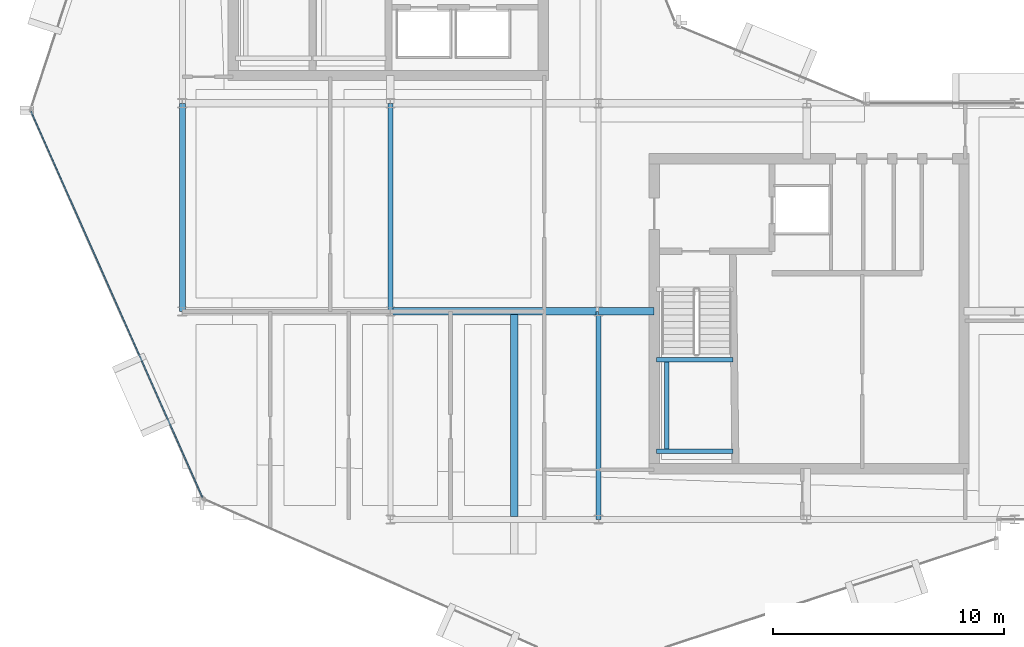
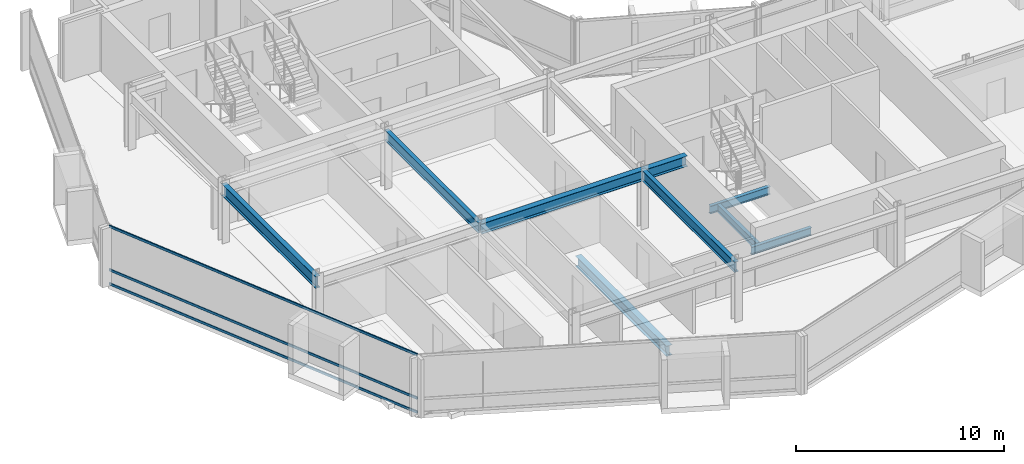
# One storey, part 5 of 27: 9 beams, 3 members, 1 element without a shape of its own.
"""IFC4 building model written with IfcOpenShell, lengths in metres."""

from ifc_helpers import new_model, si_unit, direction, frame, origin, origin_2d, place, context, subcontext, project, spatial, hollow_rectangle, i_section, extrude, material, layer, layer_set, material_profile, profile_set, type_object, element, aggregate, save


model = new_model("IFC4")

# Units and contexts
model_context = context("Model", 3, precision=1e-05, world=origin(), true_north=direction((0.0, 1.0)))
body_context = subcontext(model_context, "Body", "Model", "MODEL_VIEW")
ifc_project = project(units=[si_unit("LENGTHUNIT", "METRE"), si_unit("AREAUNIT", "SQUARE_METRE"), si_unit("VOLUMEUNIT", "CUBIC_METRE"), si_unit("PLANEANGLEUNIT", "RADIAN"), si_unit("MASSUNIT", "GRAM", prefix="KILO")], contexts=[model_context])

# Site, building, storey
site_placement = place(None, origin())
site = spatial("IfcSite", under=ifc_project, at=site_placement, CompositionType="ELEMENT")
building_placement = place(site_placement, origin())
building = spatial("IfcBuilding", under=site, at=building_placement, Name="Solvaryn Broadcast Tower", CompositionType="ELEMENT")
storey_placement = place(building_placement, frame((0.0, 0.0, 228.39990234375)))
storey = spatial("IfcBuildingStorey", under=building, at=storey_placement, Name="L57", CompositionType="ELEMENT", Elevation=228.39990234375)

# Beams
ifc_material_1 = material(Name="Steel ASTM A992 Grade 50", Category="steel")
ifc_material_profile_1 = material_profile(ifc_material_1, i_section(OverallWidth=0.323974609375, OverallDepth=0.611083984375, WebThickness=0.0126953125, FlangeThickness=0.01904296875, FilletRadius=0.014892578125, at=origin_2d()))
ifc_profile_set_1 = profile_set([ifc_material_profile_1], Name="Steel ASTM A992 Grade 50")
beam_type_1 = type_object("IfcBeamType", Name="BM-B1-W24X104", PredefinedType="BEAM", material=ifc_profile_set_1)
beam_1_placement = place(storey_placement, frame((23.35009765625, 17.875, -0.58544921875), z_axis=(0.0, -1.0, 0.0), x_axis=(1.0, 0.0, 0.0)))
element("IfcBeam", 1, at=beam_1_placement, inside=storey, type_object=beam_type_1, Name="L57 Bay-Box Back-Span Beam 1", PredefinedType="BEAM", context=body_context, shape_type="SweptSolid", body=[
    extrude(i_section(OverallWidth=0.323974609375, OverallDepth=0.611083984375, WebThickness=0.0126953125, FlangeThickness=0.01904296875, FilletRadius=0.014892578125, at=origin_2d()), origin(), (0.0, 0.0, 1.0), 8.75),
])
beam_2_placement = place(storey_placement, frame((18.0, 18.0, 3.114501953125), z_axis=(1.0, 0.0, 0.0), x_axis=(0.0, 1.0, 0.0)))
element("IfcBeam", 2, at=beam_2_placement, inside=storey, type_object=beam_type_1, Name="L57 Primary Beam X (18-27 @ Y=18)", PredefinedType="BEAM", context=body_context, shape_type="SweptSolid", body=[
    extrude(i_section(OverallWidth=0.323974609375, OverallDepth=0.611083984375, WebThickness=0.0126953125, FlangeThickness=0.01904296875, FilletRadius=0.014892578125, at=origin_2d()), origin(), (0.0, 0.0, 1.0), 9.0),
])
beam_3_placement = place(storey_placement, frame((27.0, 18.0, 3.114501953125), z_axis=(1.0, 0.0, 0.0), x_axis=(0.0, 1.0, 0.0)))
element("IfcBeam", 3, at=beam_3_placement, inside=storey, type_object=beam_type_1, Name="L57 Core Tie Beam CTE4", PredefinedType="BEAM", context=body_context, shape_type="SweptSolid", body=[
    extrude(i_section(OverallWidth=0.323974609375, OverallDepth=0.611083984375, WebThickness=0.0126953125, FlangeThickness=0.01904296875, FilletRadius=0.014892578125, at=origin_2d()), origin(), (0.0, 0.0, 1.0), 2.39990234375),
])
ifc_material_2 = material(Name="Steel ASTM A992 Grade 50", Category="steel")
ifc_material_profile_2 = material_profile(ifc_material_2, i_section(OverallWidth=0.22802734375, OverallDepth=0.60791015625, WebThickness=0.01123046875, FlangeThickness=0.017333984375, FilletRadius=0.014892578125, at=origin_2d()))
ifc_profile_set_2 = profile_set([ifc_material_profile_2], Name="Steel ASTM A992 Grade 50")
beam_type_2 = type_object("IfcBeamType", Name="BM-B2-W24X76", PredefinedType="BEAM", material=ifc_profile_set_2)
for number, where, z_axis, x_axis, name in (
    (4, (18.0, 18.0, 3.1162109375), (0.0, 1.0, 0.0), (-1.0, 0.0, 0.0), "L57 Primary Beam Y (18-27 @ X=18)"),
    (5, (27.0, 9.0, 3.1162109375), (0.0, 1.0, 0.0), (-1.0, 0.0, 0.0), "L57 Primary Beam Y (9-18 @ X=27)"),
):
    element("IfcBeam", number, at=place(storey_placement, frame(where, z_axis=z_axis, x_axis=x_axis)), inside=storey, type_object=beam_type_2, Name=name, PredefinedType="BEAM", context=body_context, shape_type="SweptSolid", body=[
        extrude(i_section(OverallWidth=0.22802734375, OverallDepth=0.60791015625, WebThickness=0.01123046875, FlangeThickness=0.017333984375, FilletRadius=0.014892578125, at=origin_2d()), origin(), (0.0, 0.0, 1.0), 9.0),
    ])
ifc_material_3 = material(Name="Steel ASTM A992 Grade 50", Category="steel")
ifc_material_profile_3 = material_profile(ifc_material_3, i_section(OverallWidth=0.18994140625, OverallDepth=0.45703125, WebThickness=0.009033203125, FlangeThickness=0.014404296875, FilletRadius=0.011962890625, at=origin_2d()))
ifc_profile_set_3 = profile_set([ifc_material_profile_3], Name="Steel ASTM A992 Grade 50")
beam_type_3 = type_object("IfcBeamType", Name="BM-B4-W18X50", PredefinedType="BEAM", material=ifc_profile_set_3)
for number, where, z_axis, x_axis, name in (
    (6, (29.5, 11.949951171875, 1.421630859375), (1.0, 0.0, 0.0), (0.0, 1.0, 0.0), "L57 ST3 Landing Support Beam 1A"),
    (7, (29.5, 15.909912109375, 1.421630859375), (1.0, 0.0, 0.0), (0.0, 1.0, 0.0), "L57 ST3 Landing Support Beam 1B"),
):
    element("IfcBeam", number, at=place(storey_placement, frame(where, z_axis=z_axis, x_axis=x_axis)), inside=storey, type_object=beam_type_3, Name=name, PredefinedType="BEAM", context=body_context, shape_type="SweptSolid", body=[
        extrude(i_section(OverallWidth=0.18994140625, OverallDepth=0.45703125, WebThickness=0.009033203125, FlangeThickness=0.014404296875, FilletRadius=0.011962890625, at=origin_2d()), origin(), (0.0, 0.0, 1.0), 3.320068359375),
    ])
beam_4_placement = place(storey_placement, frame((29.949951171875, 11.949951171875, 1.421630859375), z_axis=(0.0, 1.0, 0.0), x_axis=(-1.0, 0.0, 0.0)))
element("IfcBeam", 8, at=beam_4_placement, inside=storey, type_object=beam_type_3, Name="L57 ST3 Landing Cross Stringer 1C", PredefinedType="BEAM", context=body_context, shape_type="SweptSolid", body=[
    extrude(i_section(OverallWidth=0.18994140625, OverallDepth=0.45703125, WebThickness=0.009033203125, FlangeThickness=0.014404296875, FilletRadius=0.011962890625, at=origin_2d()), origin(), (0.0, 0.0, 1.0), 3.9599609375),
])
ifc_material_4 = material(Name="Steel ASTM A992 Grade 50", Category="steel")
ifc_material_profile_4 = material_profile(ifc_material_4, i_section(OverallWidth=0.256103515625, OverallDepth=0.693115234375, WebThickness=0.014404296875, FlangeThickness=0.023681640625, FilletRadius=0.01611328125, at=origin_2d()))
ifc_profile_set_4 = profile_set([ifc_material_profile_4], Name="Steel ASTM A992 Grade 50")
beam_type_4 = type_object("IfcBeamType", Name="BM-SP3-W27X114", PredefinedType="USERDEFINED", material=ifc_profile_set_4)
beam_5_placement = place(storey_placement, frame((9.0, 18.0, 3.073486328125), z_axis=(0.0, 1.0, 0.0), x_axis=(-1.0, 0.0, 0.0)))
element("IfcBeam", 9, at=beam_5_placement, inside=storey, type_object=beam_type_4, Name="L57 Spandrel Beam Y (18-27 @ X=9)", ObjectType="SPANDREL", PredefinedType="USERDEFINED", context=body_context, shape_type="SweptSolid", body=[
    extrude(i_section(OverallWidth=0.256103515625, OverallDepth=0.693115234375, WebThickness=0.014404296875, FlangeThickness=0.023681640625, FilletRadius=0.01611328125, at=origin_2d()), origin(), (0.0, 0.0, 1.0), 9.0),
])

# Curtain wall, members
ifc_material_5 = material(Name="Aluminium and Terracotta Unitised Curtain Wall", Category="masonry")
ifc_layer = layer(ifc_material_5, 0.199951171875)
ifc_layer_set = layer_set([ifc_layer], Name="CW-SYS2-LOWMID")
curtain_wall_type = type_object("IfcCurtainWallType", Name="CW-SYS2-LOWMID", PredefinedType="NOTDEFINED", material=ifc_layer_set)
curtain_wall_placement = place(storey_placement, origin())
curtain_wall = element("IfcCurtainWall", 10, at=curtain_wall_placement, inside=storey, type_object=curtain_wall_type, Name="L57 Curtain Wall DR2", PredefinedType="NOTDEFINED")
ifc_material_6 = material(Name="Anodised Aluminium 6063-T6", Category="aluminium")
ifc_material_profile_5 = material_profile(ifc_material_6, hollow_rectangle(XDim=0.06494140625, YDim=0.14990234375, WallThickness=0.00390625, InnerFilletRadius=0.00390625, OuterFilletRadius=0.008056640625, at=origin_2d()))
ifc_profile_set_5 = profile_set([ifc_material_profile_5], Name="Anodised Aluminium 6063-T6")
member_type = type_object("IfcMemberType", Name="CW-TRN-150", PredefinedType="USERDEFINED", material=ifc_profile_set_5)
member_1_placement = place(storey_placement, frame((2.457275390625, 26.651123046875, 0.030029296875), z_axis=(0.405901653299, -0.913916761992, 0.0), x_axis=(0.913916761992, 0.405901653299, 0.0)))
member_1 = element("IfcMember", 11, at=member_1_placement, type_object=member_type, Name="CWS2 transom 1.1", ObjectType="TRANSOM", PredefinedType="USERDEFINED", context=body_context, shape_type="SweptSolid", body=[
    extrude(hollow_rectangle(XDim=0.06494140625, YDim=0.14990234375, WallThickness=0.00390625, InnerFilletRadius=0.00390625, OuterFilletRadius=0.008056640625, at=origin_2d()), origin(), (0.0, 0.0, 1.0), 18.27099609375),
])
member_2_placement = place(storey_placement, frame((2.457275390625, 26.651123046875, 0.85009765625), z_axis=(0.405901653299, -0.913916761992, 0.0), x_axis=(0.913916761992, 0.405901653299, 0.0)))
member_2 = element("IfcMember", 12, at=member_2_placement, type_object=member_type, Name="CWS2 transom 1.2", ObjectType="TRANSOM", PredefinedType="USERDEFINED", context=body_context, shape_type="SweptSolid", body=[
    extrude(hollow_rectangle(XDim=0.06494140625, YDim=0.14990234375, WallThickness=0.00390625, InnerFilletRadius=0.00390625, OuterFilletRadius=0.008056640625, at=origin_2d()), origin(), (0.0, 0.0, 1.0), 18.27099609375),
])
member_3_placement = place(storey_placement, frame((2.457275390625, 26.651123046875, 3.39013671875), z_axis=(0.405901653299, -0.913916761992, 0.0), x_axis=(0.913916761992, 0.405901653299, 0.0)))
member_3 = element("IfcMember", 13, at=member_3_placement, type_object=member_type, Name="CWS2 transom 1.3", ObjectType="TRANSOM", PredefinedType="USERDEFINED", context=body_context, shape_type="SweptSolid", body=[
    extrude(hollow_rectangle(XDim=0.06494140625, YDim=0.14990234375, WallThickness=0.00390625, InnerFilletRadius=0.00390625, OuterFilletRadius=0.008056640625, at=origin_2d()), origin(), (0.0, 0.0, 1.0), 18.27099609375),
])
aggregate(curtain_wall, [member_1, member_2, member_3])

save(model, "model.ifc")
